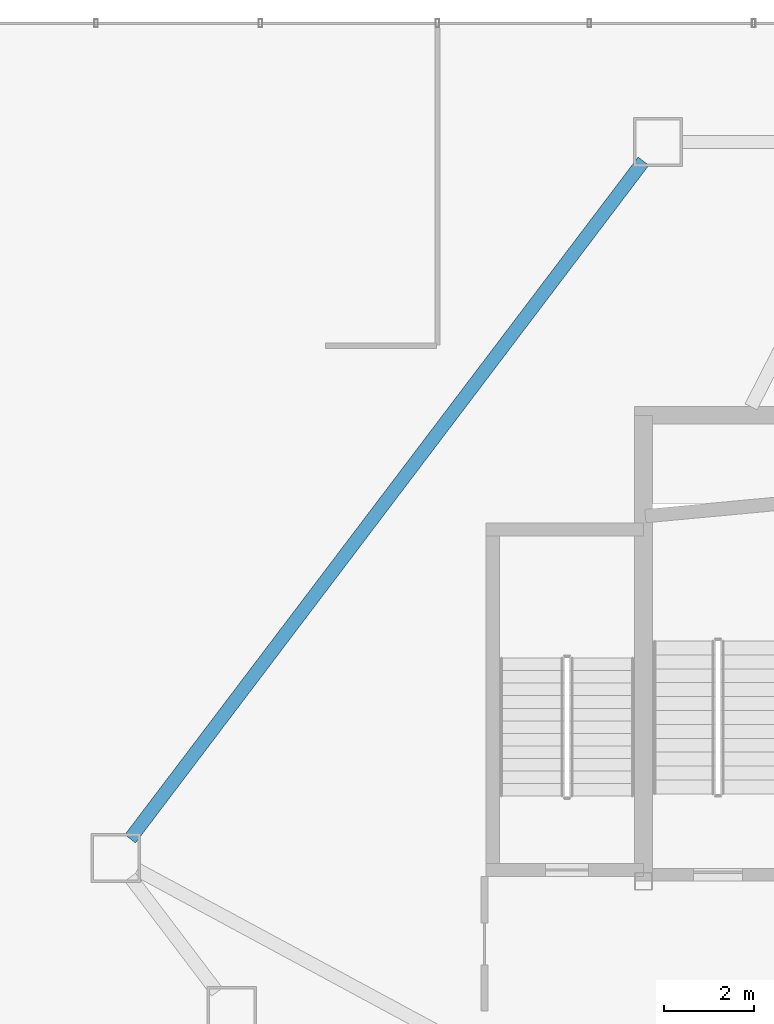
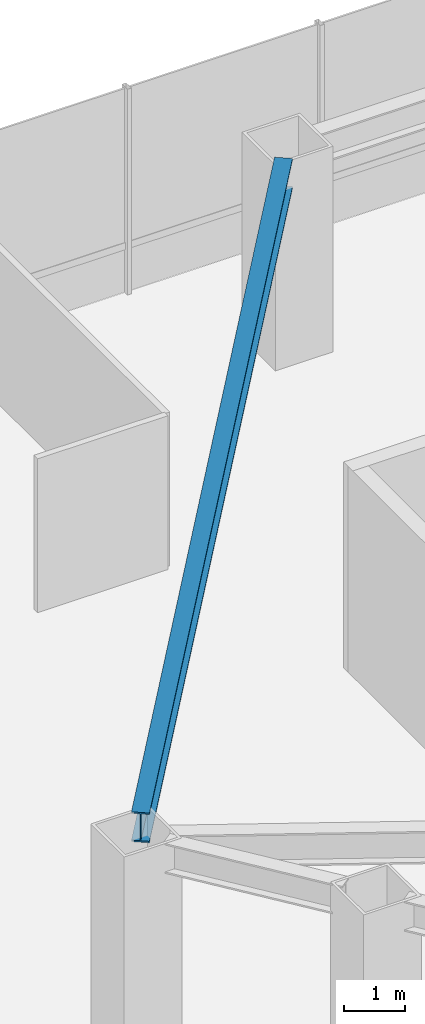
# One storey, part 20 of 43: 1 beam.
"""IFC4 building model written with IfcOpenShell, lengths in metres."""

import ifcopenshell
import ifcopenshell.guid

model = None  # the IFC model being written
_history = None  # IfcOwnerHistory: only IFC2X3 demands one
_inside = {}  # id of a spatial element -> (the spatial element, [elements in it])
_under = {}  # id of a project, library or spatial element -> (it, [spatial elements below it])
_declared = {}  # id of a project -> (the project, [libraries it declares])
_typed = {}  # id of a type object -> (the type object, [elements of that type])
_made_of = {}  # id of a material, layer set ... -> (it, [elements and type objects made of it])


def new_model(schema):
    """Start an empty IFC model of exactly this schema.

    Asked for "IFC4X3", IfcOpenShell would pick the latest addendum, in which some entities
    have other attributes; the version numbers below select the first issue.
    IFC2X3 requires an IfcOwnerHistory on every rooted entity: one is made here for all.
    """
    global model, _history
    if schema == "IFC4X3":
        model = ifcopenshell.file(schema_version=(4, 3, 0, 0))
    else:
        model = ifcopenshell.file(schema=schema)
    _inside.clear()
    _under.clear()
    _declared.clear()
    _typed.clear()
    _made_of.clear()
    _history = None
    if model.schema == "IFC2X3":
        org = make("IfcOrganization", Name="unknown")
        user = make(
            "IfcPersonAndOrganization",
            ThePerson=make("IfcPerson", FamilyName="unknown"),
            TheOrganization=org,
        )
        app = make(
            "IfcApplication",
            ApplicationDeveloper=org,
            Version="unknown",
            ApplicationFullName="unknown",
            ApplicationIdentifier="unknown",
        )
        _history = make(
            "IfcOwnerHistory",
            OwningUser=user,
            OwningApplication=app,
            ChangeAction="ADDED",
            CreationDate=0,
        )
    return model


def make(cls, **values):
    """One entity of the class cls with the attributes given. An attribute that is None is left unset."""
    return model.create_entity(
        cls, **{name: value for name, value in values.items() if value is not None}
    )


def rooted(cls, **values):
    """An entity with a GlobalId (a new one), such as an element, a storey or a relation."""
    return make(cls, GlobalId=ifcopenshell.guid.new(), OwnerHistory=_history, **values)


def si_unit(unit_type, name, prefix=None):
    """IfcSIUnit, for example si_unit("LENGTHUNIT", "METRE", prefix="MILLI")."""
    return make("IfcSIUnit", UnitType=unit_type, Prefix=prefix, Name=name)


def assignment(units):
    """IfcUnitAssignment: the units of a project."""
    return None if units is None else make("IfcUnitAssignment", Units=units)


def point(xyz):
    """IfcCartesianPoint."""
    return None if xyz is None else make("IfcCartesianPoint", Coordinates=xyz)


def direction(xyz):
    """IfcDirection."""
    return None if xyz is None else make("IfcDirection", DirectionRatios=xyz)


def frame(location, z_axis=None, x_axis=None):
    """IfcAxis2Placement3D, a coordinate frame: its origin and axes. An axis left out is left unset."""
    return make(
        "IfcAxis2Placement3D",
        Location=point(location),
        Axis=direction(z_axis),
        RefDirection=direction(x_axis),
    )


def frame_2d(location, x_axis=None):
    """IfcAxis2Placement2D, a coordinate frame in the plane: its origin and x axis."""
    return make(
        "IfcAxis2Placement2D", Location=point(location), RefDirection=direction(x_axis)
    )


def origin():
    """The frame at (0, 0, 0) with its axes left unset."""
    return frame((0.0, 0.0, 0.0))


def origin_2d():
    """The frame at (0, 0) in the plane with its x axis left unset."""
    return frame_2d((0.0, 0.0))


def place(relative_to, where):
    """IfcLocalPlacement: puts the frame where relative to a parent placement (None: the world)."""
    return make(
        "IfcLocalPlacement", PlacementRelTo=relative_to, RelativePlacement=where
    )


def context(
    kind, dimensions, precision=None, world=None, true_north=None, identifier=None
):
    """IfcGeometricRepresentationContext, for example the 3D "Model" context."""
    return make(
        "IfcGeometricRepresentationContext",
        ContextIdentifier=identifier,
        ContextType=kind,
        CoordinateSpaceDimension=dimensions,
        Precision=precision,
        WorldCoordinateSystem=world,
        TrueNorth=true_north,
    )


def subcontext(parent, identifier, kind, view, scale=None):
    """IfcGeometricRepresentationSubContext, for example "Body" below "Model"."""
    return make(
        "IfcGeometricRepresentationSubContext",
        ContextIdentifier=identifier,
        ContextType=kind,
        ParentContext=parent,
        TargetScale=scale,
        TargetView=view,
    )


def project(units=None, contexts=None):
    """IfcProject with its units and contexts."""
    return rooted(
        "IfcProject",
        Name="project",
        RepresentationContexts=contexts,
        UnitsInContext=assignment(units),
    )


def spatial(cls, under=None, at=None, **own):
    """A site, building, storey or space (cls), placed at a placement, below another one or the project."""
    s = rooted(cls, ObjectPlacement=at, **own)
    if under is not None:
        _under.setdefault(under.id(), (under, []))[1].append(s)
    return s


def profile(cls, at=None, kind="AREA", **sizes):
    """A parametric profile (cls). Its sizes go by their IFC names, for example OverallWidth=200.0."""
    return make(cls, ProfileType=kind, Position=at, **sizes)


def i_section(**sizes):
    """IfcIShapeProfileDef."""
    return profile("IfcIShapeProfileDef", **sizes)


def extrude(swept, where, along, depth):
    """IfcExtrudedAreaSolid: the profile swept, set in the frame where, extruded along a direction by depth."""
    return make(
        "IfcExtrudedAreaSolid",
        SweptArea=swept,
        Position=where,
        ExtrudedDirection=direction(along),
        Depth=depth,
    )


def shape(context_of_items, identifier, shape_type, items):
    """IfcShapeRepresentation: the items that make up one representation, for example the "Body"."""
    return make(
        "IfcShapeRepresentation",
        ContextOfItems=context_of_items,
        RepresentationIdentifier=identifier,
        RepresentationType=shape_type,
        Items=items,
    )


def material(Name=None, Category=None):
    """IfcMaterial."""
    return make("IfcMaterial", Name=Name, Category=Category)


def material_profile(
    of_material, cross_section, Name=None, Category=None, Priority=None
):
    """IfcMaterialProfile: a cross section and its material."""
    return make(
        "IfcMaterialProfile",
        Name=Name,
        Material=of_material,
        Profile=cross_section,
        Priority=Priority,
        Category=Category,
    )


def profile_set(profiles, Name=None, composite=None):
    """IfcMaterialProfileSet."""
    return make(
        "IfcMaterialProfileSet",
        Name=Name,
        MaterialProfiles=profiles,
        CompositeProfile=composite,
    )


def made_of(thing, what):
    """Note that an element or type object is made of a material, layer set ...; save() writes the relation."""
    if what is not None:
        _made_of.setdefault(what.id(), (what, []))[1].append(thing)
    return thing


def type_object(cls, material=None, **own):
    """A type object (cls), such as IfcWallType, which elements share."""
    return made_of(rooted(cls, **own), material)


def element(
    cls,
    number,
    at=None,
    inside=None,
    cuts=None,
    type_object=None,
    material=None,
    context=None,
    identifier="Body",
    shape_type=None,
    held_by="IfcProductDefinitionShape",
    body=None,
    shapes=None,
    **own,
):
    """One element of the class cls, such as IfcWall. Its Tag is "e" and its number.

    at: its placement. inside: the storey or other place that contains it. cuts: it is an
    opening in that element (IfcRelVoidsElement). A single representation is given by context,
    identifier, shape_type and body (its items); several are given by shapes. held_by: the class
    of the entity that holds the representations. save() writes the other relations.
    """
    e = rooted(cls, Tag="e%d" % number, ObjectPlacement=at, **own)
    if body is not None:
        shapes = [shape(context, identifier, shape_type, body)]
    if shapes is not None:
        e.Representation = make(held_by, Representations=shapes)
    if inside is not None:
        _inside.setdefault(inside.id(), (inside, []))[1].append(e)
    if cuts is not None:
        rooted(
            "IfcRelVoidsElement", RelatingBuildingElement=cuts, RelatedOpeningElement=e
        )
    if type_object is not None:
        _typed.setdefault(type_object.id(), (type_object, []))[1].append(e)
    return made_of(e, material)


def aggregate(whole, parts):
    """IfcRelAggregates: a whole, such as a stair, and the parts it consists of."""
    return rooted("IfcRelAggregates", RelatingObject=whole, RelatedObjects=parts)


def save(model, path):
    """Write the relations noted so far, then the file.

    IfcRelAggregates (storeys below a building ...), IfcRelContainedInSpatialStructure (elements
    in a storey), IfcRelDefinesByType, IfcRelAssociatesMaterial and IfcRelDeclares: one each for
    every whole, place, type object, material and project.
    """
    for whole, parts in _under.values():
        aggregate(whole, parts)
    for where, things in _inside.values():
        rooted(
            "IfcRelContainedInSpatialStructure",
            RelatedElements=things,
            RelatingStructure=where,
        )
    for kind, things in _typed.values():
        rooted("IfcRelDefinesByType", RelatedObjects=things, RelatingType=kind)
    for what, things in _made_of.values():
        rooted("IfcRelAssociatesMaterial", RelatedObjects=things, RelatingMaterial=what)
    for by, libraries in _declared.values():
        rooted("IfcRelDeclares", RelatingContext=by, RelatedDefinitions=libraries)
    model.write(path)


model = new_model("IFC4")

# Units and contexts
model_context = context("Model", 3, precision=1e-05, world=origin(), true_north=direction((0.0, 1.0)))
body_context = subcontext(model_context, "Body", "Model", "MODEL_VIEW")
ifc_project = project(units=[si_unit("LENGTHUNIT", "METRE"), si_unit("AREAUNIT", "SQUARE_METRE"), si_unit("VOLUMEUNIT", "CUBIC_METRE"), si_unit("PLANEANGLEUNIT", "RADIAN"), si_unit("MASSUNIT", "GRAM", prefix="KILO")], contexts=[model_context])

# Site, building, storey
site_placement = place(None, origin())
site = spatial("IfcSite", under=ifc_project, at=site_placement, CompositionType="ELEMENT")
building_placement = place(site_placement, origin())
building = spatial("IfcBuilding", under=site, at=building_placement, Name="Zarrinselat Tower", CompositionType="ELEMENT")
storey_placement = place(building_placement, frame((0.0, 0.0, 5.10009765625)))
storey = spatial("IfcBuildingStorey", under=building, at=storey_placement, Name="L01", CompositionType="ELEMENT", Elevation=5.10009765625)

# Beam
ifc_material = material(Name="Steel S355J2", Category="steel")
ifc_material_profile = material_profile(ifc_material, i_section(OverallWidth=0.300048828125, OverallDepth=0.60009765625, WebThickness=0.015380859375, FlangeThickness=0.030029296875, at=origin_2d()), Name="HEB 600")
ifc_profile_set = profile_set([ifc_material_profile], Name="Steel S355J2")
beam_type = type_object("IfcBeamType", Name="BM-HEB600", PredefinedType="BEAM", material=ifc_profile_set)
beam_placement = place(storey_placement, frame((17.140380859375, 33.996826171875, 3.83984375), z_axis=(0.603857192537, 0.797092523501, 0.0), x_axis=(-0.797092523501, 0.603857192537, 0.0)))
element("IfcBeam", 1, at=beam_placement, inside=storey, type_object=beam_type, Name="L01 Perimeter Spandrel Girder SP05", PredefinedType="BEAM", context=body_context, shape_type="SweptSolid", body=[
    extrude(i_section(OverallWidth=0.300048828125, OverallDepth=0.60009765625, WebThickness=0.015380859375, FlangeThickness=0.030029296875, at=origin_2d()), origin(), (0.0, 0.0, 1.0), 18.974365234375),
])

save(model, "model.ifc")
